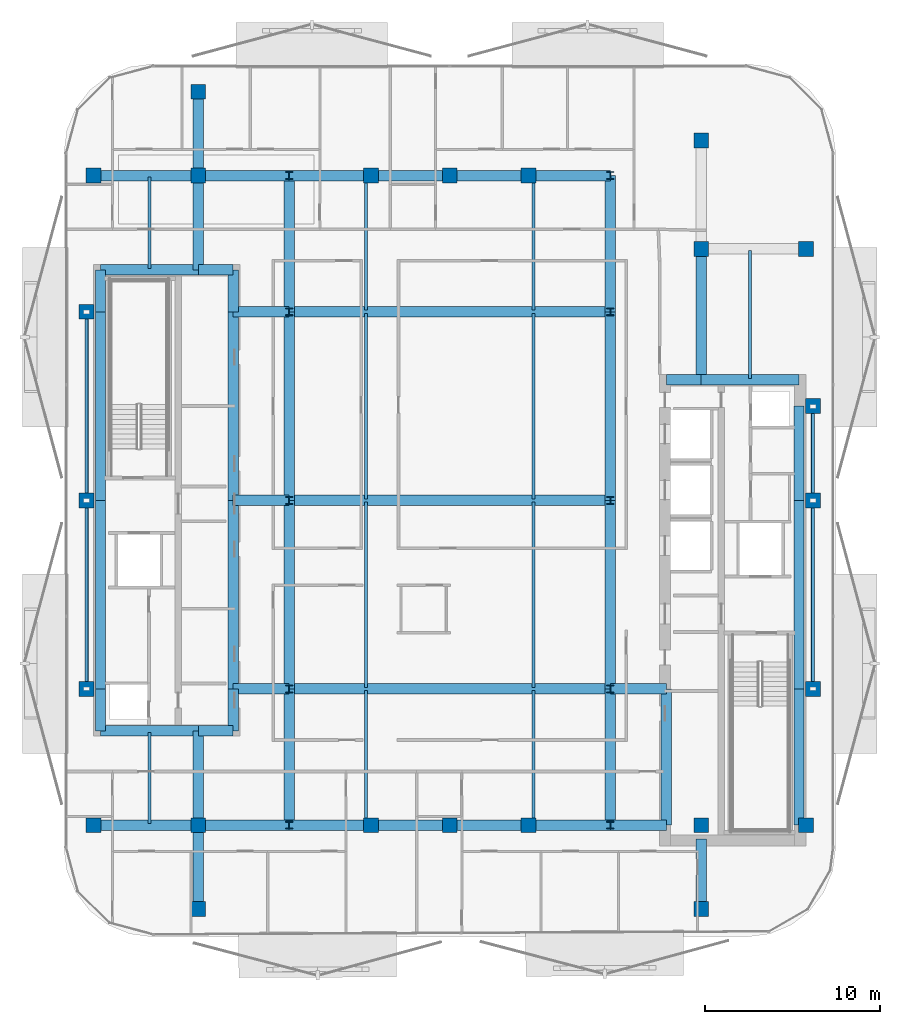
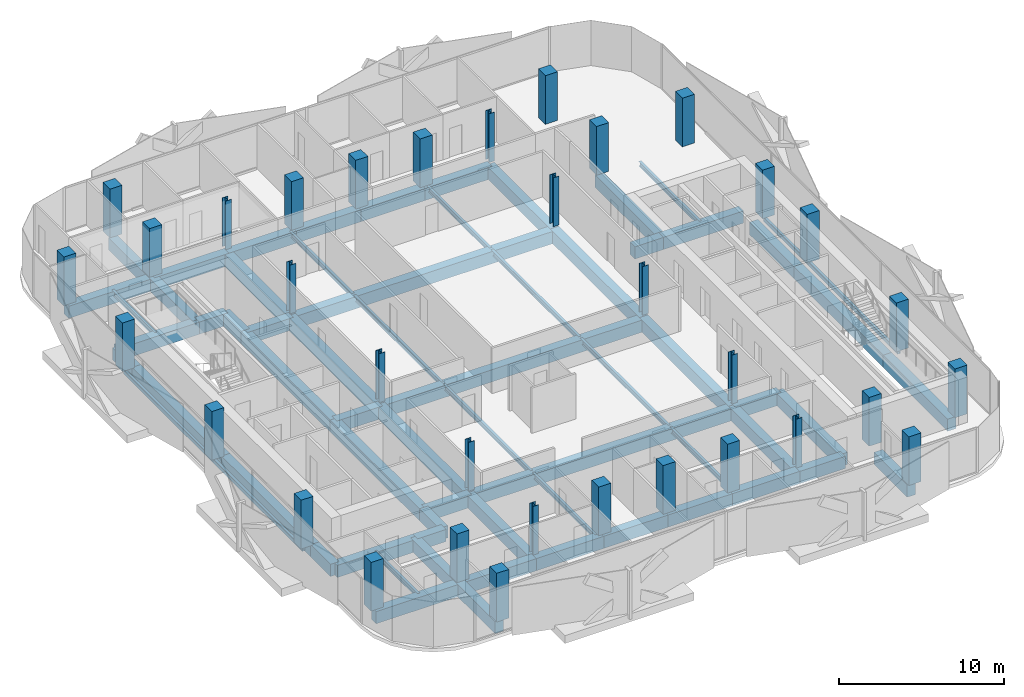
# One storey, part 1 of 15: 67 beams, 34 columns.
"""IFC4 building model written with IfcOpenShell, lengths in metres."""

from ifc_helpers import new_model, si_unit, direction, frame, origin, origin_2d, place, context, subcontext, project, spatial, rectangle, hollow_rectangle, i_section, extrude, material, material_profile, profile_set, type_object, element, save


model = new_model("IFC4")

# Units and contexts
model_context = context("Model", 3, precision=1e-05, world=origin(), true_north=direction((0.0, 1.0)))
body_context = subcontext(model_context, "Body", "Model", "MODEL_VIEW")
ifc_project = project(units=[si_unit("LENGTHUNIT", "METRE"), si_unit("AREAUNIT", "SQUARE_METRE"), si_unit("VOLUMEUNIT", "CUBIC_METRE"), si_unit("PLANEANGLEUNIT", "RADIAN"), si_unit("MASSUNIT", "GRAM", prefix="KILO")], contexts=[model_context])

# Site, building, storey
site_placement = place(None, origin())
site = spatial("IfcSite", under=ifc_project, at=site_placement, CompositionType="ELEMENT")
building_placement = place(site_placement, origin())
building = spatial("IfcBuilding", under=site, at=building_placement, Name="Khairoan Windgate Tower", CompositionType="ELEMENT")
storey_placement = place(building_placement, frame((0.0, 0.0, 226.0)))
storey = spatial("IfcBuildingStorey", under=building, at=storey_placement, Name="L52", CompositionType="ELEMENT", Elevation=226.0)

# Columns
ifc_material_1 = material(Name="Concrete C50/60", Category="concrete")
ifc_material_profile_1 = material_profile(ifc_material_1, rectangle(XDim=0.85009765625, YDim=0.85009765625, at=origin_2d()))
ifc_profile_set_1 = profile_set([ifc_material_profile_1], Name="Concrete C50/60")
column_type_1 = type_object("IfcColumnType", Name="Column C-T5 RC850x850", PredefinedType="COLUMN", material=ifc_profile_set_1)
for number, where, z_axis, x_axis, name in (
    (1, (-20.39990234375, -18.60009765625, 0.0), (0.0, 0.0, 1.0), (1.0, 0.0, 0.0), "Column L52-11"),
    (2, (-20.39990234375, 18.60009765625, 0.0), (0.0, 0.0, 1.0), (1.0, 0.0, 0.0), "Column L52-12"),
    (3, (20.39990234375, -18.60009765625, 0.0), (0.0, 0.0, 1.0), (1.0, 0.0, 0.0), "Column L52-13"),
    (4, (20.39990234375, 14.39990234375, 0.0), (0.0, 0.0, 1.0), (1.0, 0.0, 0.0), "Column L52-14"),
    (5, (-14.39990234375, -18.60009765625, 0.0), (0.0, 0.0, 1.0), (1.0, 0.0, 0.0), "Column L52-15"),
    (6, (-14.39990234375, 18.60009765625, 0.0), (0.0, 0.0, 1.0), (1.0, 0.0, 0.0), "Column L52-16"),
    (7, (14.39990234375, -18.60009765625, 0.0), (0.0, 0.0, 1.0), (1.0, 0.0, 0.0), "Column L52-17"),
    (8, (14.39990234375, 14.39990234375, 0.0), (0.0, 0.0, 1.0), (1.0, 0.0, 0.0), "Column L52-18"),
    (9, (-4.5, -18.60009765625, 0.0), (0.0, 0.0, 1.0), (1.0, 0.0, 0.0), "Column L52-19"),
    (10, (0.0, -18.60009765625, 0.0), (0.0, 0.0, 1.0), (1.0, 0.0, 0.0), "Column L52-20"),
    (11, (4.5, -18.60009765625, 0.0), (0.0, 0.0, 1.0), (1.0, 0.0, 0.0), "Column L52-21"),
    (12, (-4.5, 18.60009765625, 0.0), (0.0, 0.0, 1.0), (1.0, 0.0, 0.0), "Column L52-22"),
    (13, (0.0, 18.60009765625, 0.0), (0.0, 0.0, 1.0), (1.0, 0.0, 0.0), "Column L52-23"),
    (14, (4.5, 18.60009765625, 0.0), (0.0, 0.0, 1.0), (1.0, 0.0, 0.0), "Column L52-24"),
    (15, (-20.800048828125, -10.800048828125, 0.0), (0.0, 0.0, 1.0), (1.0, 0.0, 0.0), "Column L52-25"),
    (16, (-20.800048828125, 0.0, 0.0), (0.0, 0.0, 1.0), (1.0, 0.0, 0.0), "Column L52-26"),
    (17, (-20.800048828125, 10.800048828125, 0.0), (0.0, 0.0, 1.0), (1.0, 0.0, 0.0), "Column L52-27"),
    (18, (20.800048828125, -10.800048828125, 0.0), (0.0, 0.0, 1.0), (1.0, 0.0, 0.0), "Column L52-28"),
    (19, (20.800048828125, 0.0, 0.0), (0.0, 0.0, 1.0), (1.0, 0.0, 0.0), "Column L52-29"),
    (20, (20.800048828125, 5.39990234375, 0.0), (0.0, 0.0, 1.0), (1.0, 0.0, 0.0), "Column L52-30"),
    (21, (-14.39990234375, -23.39990234375, 0.0), (0.0, 0.0, 1.0), (1.0, 0.0, 0.0), "Column L52-31"),
    (22, (-14.39990234375, 23.39990234375, 0.0), (0.0, 0.0, 1.0), (1.0, 0.0, 0.0), "Column L52-32"),
    (23, (14.39990234375, -23.39990234375, 0.0), (0.0, 0.0, 1.0), (1.0, 0.0, 0.0), "Column L52-33"),
    (24, (14.39990234375, 20.60009765625, 0.0), (0.0, 0.0, 1.0), (1.0, 0.0, 0.0), "Column L52-34"),
):
    element("IfcColumn", number, at=place(storey_placement, frame(where, z_axis=z_axis, x_axis=x_axis)), inside=storey, type_object=column_type_1, Name=name, PredefinedType="COLUMN", context=body_context, shape_type="SweptSolid", body=[
        extrude(rectangle(XDim=0.85009765625, YDim=0.85009765625, at=origin_2d()), origin(), (0.0, 0.0, 1.0), 3.60009765625),
    ])
ifc_material_2 = material(Name="Steel S355", Category="steel")
ifc_material_profile_2 = material_profile(ifc_material_2, i_section(OverallWidth=0.406982421875, OverallDepth=0.427978515625, WebThickness=0.02001953125, FlangeThickness=0.034912109375, FilletRadius=0.02197265625, at=origin_2d()))
ifc_profile_set_2 = profile_set([ifc_material_profile_2], Name="Steel S355")
column_type_2 = type_object("IfcColumnType", Name="Steel Column SC3 H428x407x20x35", PredefinedType="COLUMN", material=ifc_profile_set_2)
for number, where, z_axis, x_axis, name in (
    (25, (-9.199951171875, -18.60009765625, 0.0), (0.0, 0.0, 1.0), (1.0, 0.0, 0.0), "Column L52-01"),
    (26, (-9.199951171875, -10.800048828125, 0.0), (0.0, 0.0, 1.0), (1.0, 0.0, 0.0), "Column L52-02"),
    (27, (-9.199951171875, 0.0, 0.0), (0.0, 0.0, 1.0), (1.0, 0.0, 0.0), "Column L52-03"),
    (28, (-9.199951171875, 10.800048828125, 0.0), (0.0, 0.0, 1.0), (1.0, 0.0, 0.0), "Column L52-04"),
    (29, (-9.199951171875, 18.60009765625, 0.0), (0.0, 0.0, 1.0), (1.0, 0.0, 0.0), "Column L52-05"),
    (30, (9.199951171875, -18.60009765625, 0.0), (0.0, 0.0, 1.0), (1.0, 0.0, 0.0), "Column L52-06"),
    (31, (9.199951171875, -10.800048828125, 0.0), (0.0, 0.0, 1.0), (1.0, 0.0, 0.0), "Column L52-07"),
    (32, (9.199951171875, 0.0, 0.0), (0.0, 0.0, 1.0), (1.0, 0.0, 0.0), "Column L52-08"),
    (33, (9.199951171875, 10.800048828125, 0.0), (0.0, 0.0, 1.0), (1.0, 0.0, 0.0), "Column L52-09"),
    (34, (9.199951171875, 18.60009765625, 0.0), (0.0, 0.0, 1.0), (1.0, 0.0, 0.0), "Column L52-10"),
):
    element("IfcColumn", number, at=place(storey_placement, frame(where, z_axis=z_axis, x_axis=x_axis)), inside=storey, type_object=column_type_2, Name=name, PredefinedType="COLUMN", context=body_context, shape_type="SweptSolid", body=[
        extrude(i_section(OverallWidth=0.406982421875, OverallDepth=0.427978515625, WebThickness=0.02001953125, FlangeThickness=0.034912109375, FilletRadius=0.02197265625, at=origin_2d()), origin(), (0.0, 0.0, 1.0), 3.60009765625),
    ])

# Beams
ifc_material_3 = material(Name="Concrete C50/60", Category="concrete")
ifc_material_profile_3 = material_profile(ifc_material_3, rectangle(XDim=0.60009765625, YDim=0.89990234375, at=origin_2d()))
ifc_profile_set_3 = profile_set([ifc_material_profile_3], Name="Concrete C50/60")
beam_type_1 = type_object("IfcBeamType", Name="Beam B-RC1 RC600x900", PredefinedType="BEAM", material=ifc_profile_set_3)
beam_1_placement = place(storey_placement, frame((-20.39990234375, -18.60009765625, -0.7099609375), z_axis=(1.0, 0.0, 0.0), x_axis=(0.0, 1.0, 0.0)))
element("IfcBeam", 35, at=beam_1_placement, inside=storey, type_object=beam_type_1, Name="L52 E-W Primary Girder 01", PredefinedType="BEAM", context=body_context, shape_type="SweptSolid", body=[
    extrude(rectangle(XDim=0.60009765625, YDim=0.89990234375, at=origin_2d()), origin(), (0.0, 0.0, 1.0), 6.0),
])
beam_2_placement = place(storey_placement, frame((-14.39990234375, -18.60009765625, -0.7099609375), z_axis=(1.0, 0.0, 0.0), x_axis=(0.0, 1.0, 0.0)))
element("IfcBeam", 36, at=beam_2_placement, inside=storey, type_object=beam_type_1, Name="L52 E-W Primary Girder 02", PredefinedType="BEAM", context=body_context, shape_type="SweptSolid", body=[
    extrude(rectangle(XDim=0.60009765625, YDim=0.89990234375, at=origin_2d()), origin(), (0.0, 0.0, 1.0), 5.199951171875),
])
beam_3_placement = place(storey_placement, frame((-9.199951171875, -18.60009765625, -0.7099609375), z_axis=(1.0, 0.0, 0.0), x_axis=(0.0, 1.0, 0.0)))
element("IfcBeam", 37, at=beam_3_placement, inside=storey, type_object=beam_type_1, Name="L52 E-W Primary Girder 03", PredefinedType="BEAM", context=body_context, shape_type="SweptSolid", body=[
    extrude(rectangle(XDim=0.60009765625, YDim=0.89990234375, at=origin_2d()), origin(), (0.0, 0.0, 1.0), 4.699951171875),
])
for number, where, z_axis, x_axis, name in (
    (38, (-4.5, -18.60009765625, -0.7099609375), (1.0, 0.0, 0.0), (0.0, 1.0, 0.0), "L52 E-W Primary Girder 04"),
    (39, (0.0, -18.60009765625, -0.7099609375), (1.0, 0.0, 0.0), (0.0, 1.0, 0.0), "L52 E-W Primary Girder 05"),
):
    element("IfcBeam", number, at=place(storey_placement, frame(where, z_axis=z_axis, x_axis=x_axis)), inside=storey, type_object=beam_type_1, Name=name, PredefinedType="BEAM", context=body_context, shape_type="SweptSolid", body=[
        extrude(rectangle(XDim=0.60009765625, YDim=0.89990234375, at=origin_2d()), origin(), (0.0, 0.0, 1.0), 4.5),
    ])
beam_4_placement = place(storey_placement, frame((4.5, -18.60009765625, -0.7099609375), z_axis=(1.0, 0.0, 0.0), x_axis=(0.0, 1.0, 0.0)))
element("IfcBeam", 40, at=beam_4_placement, inside=storey, type_object=beam_type_1, Name="L52 E-W Primary Girder 06", PredefinedType="BEAM", context=body_context, shape_type="SweptSolid", body=[
    extrude(rectangle(XDim=0.60009765625, YDim=0.89990234375, at=origin_2d()), origin(), (0.0, 0.0, 1.0), 4.699951171875),
])
beam_5_placement = place(storey_placement, frame((9.199951171875, -18.60009765625, -0.7099609375), z_axis=(1.0, 0.0, 0.0), x_axis=(0.0, 1.0, 0.0)))
element("IfcBeam", 41, at=beam_5_placement, inside=storey, type_object=beam_type_1, Name="L52 E-W Primary Girder 07", PredefinedType="BEAM", context=body_context, shape_type="SweptSolid", body=[
    extrude(rectangle(XDim=0.60009765625, YDim=0.89990234375, at=origin_2d()), origin(), (0.0, 0.0, 1.0), 3.199951171875),
])
beam_6_placement = place(storey_placement, frame((-20.0, -13.199951171875, -0.7099609375), z_axis=(1.0, 0.0, 0.0), x_axis=(0.0, 1.0, 0.0)))
element("IfcBeam", 42, at=beam_6_placement, inside=storey, type_object=beam_type_1, Name="L52 E-W Primary Girder 08", PredefinedType="BEAM", context=body_context, shape_type="SweptSolid", body=[
    extrude(rectangle(XDim=0.60009765625, YDim=0.89990234375, at=origin_2d()), origin(), (0.0, 0.0, 1.0), 5.60009765625),
])
beam_7_placement = place(storey_placement, frame((-14.39990234375, -13.199951171875, -0.7099609375), z_axis=(1.0, 0.0, 0.0), x_axis=(0.0, 1.0, 0.0)))
element("IfcBeam", 43, at=beam_7_placement, inside=storey, type_object=beam_type_1, Name="L52 E-W Primary Girder 09", PredefinedType="BEAM", context=body_context, shape_type="SweptSolid", body=[
    extrude(rectangle(XDim=0.60009765625, YDim=0.89990234375, at=origin_2d()), origin(), (0.0, 0.0, 1.0), 2.0),
])
beam_8_placement = place(storey_placement, frame((-12.39990234375, -10.800048828125, -0.7099609375), z_axis=(1.0, 0.0, 0.0), x_axis=(0.0, 1.0, 0.0)))
element("IfcBeam", 44, at=beam_8_placement, inside=storey, type_object=beam_type_1, Name="L52 E-W Primary Girder 10", PredefinedType="BEAM", context=body_context, shape_type="SweptSolid", body=[
    extrude(rectangle(XDim=0.60009765625, YDim=0.89990234375, at=origin_2d()), origin(), (0.0, 0.0, 1.0), 3.199951171875),
])
beam_9_placement = place(storey_placement, frame((-9.199951171875, -10.800048828125, -0.7099609375), z_axis=(1.0, 0.0, 0.0), x_axis=(0.0, 1.0, 0.0)))
element("IfcBeam", 45, at=beam_9_placement, inside=storey, type_object=beam_type_1, Name="L52 E-W Primary Girder 11", PredefinedType="BEAM", context=body_context, shape_type="SweptSolid", body=[
    extrude(rectangle(XDim=0.60009765625, YDim=0.89990234375, at=origin_2d()), origin(), (0.0, 0.0, 1.0), 18.39990234375),
])
for number, where, z_axis, x_axis, name in (
    (46, (9.199951171875, -10.800048828125, -0.7099609375), (1.0, 0.0, 0.0), (0.0, 1.0, 0.0), "L52 E-W Primary Girder 12"),
    (47, (-12.39990234375, 0.0, -0.7099609375), (1.0, 0.0, 0.0), (0.0, 1.0, 0.0), "L52 E-W Primary Girder 13"),
):
    element("IfcBeam", number, at=place(storey_placement, frame(where, z_axis=z_axis, x_axis=x_axis)), inside=storey, type_object=beam_type_1, Name=name, PredefinedType="BEAM", context=body_context, shape_type="SweptSolid", body=[
        extrude(rectangle(XDim=0.60009765625, YDim=0.89990234375, at=origin_2d()), origin(), (0.0, 0.0, 1.0), 3.199951171875),
    ])
beam_10_placement = place(storey_placement, frame((-9.199951171875, 0.0, -0.7099609375), z_axis=(1.0, 0.0, 0.0), x_axis=(0.0, 1.0, 0.0)))
element("IfcBeam", 48, at=beam_10_placement, inside=storey, type_object=beam_type_1, Name="L52 E-W Primary Girder 14", PredefinedType="BEAM", context=body_context, shape_type="SweptSolid", body=[
    extrude(rectangle(XDim=0.60009765625, YDim=0.89990234375, at=origin_2d()), origin(), (0.0, 0.0, 1.0), 18.39990234375),
])
beam_11_placement = place(storey_placement, frame((12.39990234375, 6.89990234375, -0.7099609375), z_axis=(1.0, 0.0, 0.0), x_axis=(0.0, 1.0, 0.0)))
element("IfcBeam", 49, at=beam_11_placement, inside=storey, type_object=beam_type_1, Name="L52 E-W Primary Girder 15", PredefinedType="BEAM", context=body_context, shape_type="SweptSolid", body=[
    extrude(rectangle(XDim=0.60009765625, YDim=0.89990234375, at=origin_2d()), origin(), (0.0, 0.0, 1.0), 2.0),
])
beam_12_placement = place(storey_placement, frame((14.39990234375, 6.89990234375, -0.7099609375), z_axis=(1.0, 0.0, 0.0), x_axis=(0.0, 1.0, 0.0)))
element("IfcBeam", 50, at=beam_12_placement, inside=storey, type_object=beam_type_1, Name="L52 E-W Primary Girder 16", PredefinedType="BEAM", context=body_context, shape_type="SweptSolid", body=[
    extrude(rectangle(XDim=0.60009765625, YDim=0.89990234375, at=origin_2d()), origin(), (0.0, 0.0, 1.0), 5.60009765625),
])
beam_13_placement = place(storey_placement, frame((-12.39990234375, 10.800048828125, -0.7099609375), z_axis=(1.0, 0.0, 0.0), x_axis=(0.0, 1.0, 0.0)))
element("IfcBeam", 51, at=beam_13_placement, inside=storey, type_object=beam_type_1, Name="L52 E-W Primary Girder 17", PredefinedType="BEAM", context=body_context, shape_type="SweptSolid", body=[
    extrude(rectangle(XDim=0.60009765625, YDim=0.89990234375, at=origin_2d()), origin(), (0.0, 0.0, 1.0), 3.199951171875),
])
beam_14_placement = place(storey_placement, frame((-9.199951171875, 10.800048828125, -0.7099609375), z_axis=(1.0, 0.0, 0.0), x_axis=(0.0, 1.0, 0.0)))
element("IfcBeam", 52, at=beam_14_placement, inside=storey, type_object=beam_type_1, Name="L52 E-W Primary Girder 18", PredefinedType="BEAM", context=body_context, shape_type="SweptSolid", body=[
    extrude(rectangle(XDim=0.60009765625, YDim=0.89990234375, at=origin_2d()), origin(), (0.0, 0.0, 1.0), 18.39990234375),
])
beam_15_placement = place(storey_placement, frame((-20.0, 13.199951171875, -0.7099609375), z_axis=(1.0, 0.0, 0.0), x_axis=(0.0, 1.0, 0.0)))
element("IfcBeam", 53, at=beam_15_placement, inside=storey, type_object=beam_type_1, Name="L52 E-W Primary Girder 19", PredefinedType="BEAM", context=body_context, shape_type="SweptSolid", body=[
    extrude(rectangle(XDim=0.60009765625, YDim=0.89990234375, at=origin_2d()), origin(), (0.0, 0.0, 1.0), 5.60009765625),
])
beam_16_placement = place(storey_placement, frame((-14.39990234375, 13.199951171875, -0.7099609375), z_axis=(1.0, 0.0, 0.0), x_axis=(0.0, 1.0, 0.0)))
element("IfcBeam", 54, at=beam_16_placement, inside=storey, type_object=beam_type_1, Name="L52 E-W Primary Girder 20", PredefinedType="BEAM", context=body_context, shape_type="SweptSolid", body=[
    extrude(rectangle(XDim=0.60009765625, YDim=0.89990234375, at=origin_2d()), origin(), (0.0, 0.0, 1.0), 2.0),
])
beam_17_placement = place(storey_placement, frame((-20.39990234375, 18.60009765625, -0.7099609375), z_axis=(1.0, 0.0, 0.0), x_axis=(0.0, 1.0, 0.0)))
element("IfcBeam", 55, at=beam_17_placement, inside=storey, type_object=beam_type_1, Name="L52 E-W Primary Girder 22", PredefinedType="BEAM", context=body_context, shape_type="SweptSolid", body=[
    extrude(rectangle(XDim=0.60009765625, YDim=0.89990234375, at=origin_2d()), origin(), (0.0, 0.0, 1.0), 6.0),
])
beam_18_placement = place(storey_placement, frame((-14.39990234375, 18.60009765625, -0.7099609375), z_axis=(1.0, 0.0, 0.0), x_axis=(0.0, 1.0, 0.0)))
element("IfcBeam", 56, at=beam_18_placement, inside=storey, type_object=beam_type_1, Name="L52 E-W Primary Girder 23", PredefinedType="BEAM", context=body_context, shape_type="SweptSolid", body=[
    extrude(rectangle(XDim=0.60009765625, YDim=0.89990234375, at=origin_2d()), origin(), (0.0, 0.0, 1.0), 5.199951171875),
])
beam_19_placement = place(storey_placement, frame((-9.199951171875, 18.60009765625, -0.7099609375), z_axis=(1.0, 0.0, 0.0), x_axis=(0.0, 1.0, 0.0)))
element("IfcBeam", 57, at=beam_19_placement, inside=storey, type_object=beam_type_1, Name="L52 E-W Primary Girder 24", PredefinedType="BEAM", context=body_context, shape_type="SweptSolid", body=[
    extrude(rectangle(XDim=0.60009765625, YDim=0.89990234375, at=origin_2d()), origin(), (0.0, 0.0, 1.0), 4.699951171875),
])
for number, where, z_axis, x_axis, name in (
    (58, (-4.5, 18.60009765625, -0.7099609375), (1.0, 0.0, 0.0), (0.0, 1.0, 0.0), "L52 E-W Primary Girder 25"),
    (59, (0.0, 18.60009765625, -0.7099609375), (1.0, 0.0, 0.0), (0.0, 1.0, 0.0), "L52 E-W Primary Girder 26"),
):
    element("IfcBeam", number, at=place(storey_placement, frame(where, z_axis=z_axis, x_axis=x_axis)), inside=storey, type_object=beam_type_1, Name=name, PredefinedType="BEAM", context=body_context, shape_type="SweptSolid", body=[
        extrude(rectangle(XDim=0.60009765625, YDim=0.89990234375, at=origin_2d()), origin(), (0.0, 0.0, 1.0), 4.5),
    ])
beam_20_placement = place(storey_placement, frame((4.5, 18.60009765625, -0.7099609375), z_axis=(1.0, 0.0, 0.0), x_axis=(0.0, 1.0, 0.0)))
element("IfcBeam", 60, at=beam_20_placement, inside=storey, type_object=beam_type_1, Name="L52 E-W Primary Girder 27", PredefinedType="BEAM", context=body_context, shape_type="SweptSolid", body=[
    extrude(rectangle(XDim=0.60009765625, YDim=0.89990234375, at=origin_2d()), origin(), (0.0, 0.0, 1.0), 4.699951171875),
])
beam_21_placement = place(storey_placement, frame((-20.0, -13.199951171875, -0.7099609375), z_axis=(0.0, 1.0, 0.0), x_axis=(-1.0, 0.0, 0.0)))
element("IfcBeam", 61, at=beam_21_placement, inside=storey, type_object=beam_type_1, Name="L52 N-S Primary Beam 30", PredefinedType="BEAM", context=body_context, shape_type="SweptSolid", body=[
    extrude(rectangle(XDim=0.60009765625, YDim=0.89990234375, at=origin_2d()), origin(), (0.0, 0.0, 1.0), 2.39990234375),
])
for number, where, z_axis, x_axis, name in (
    (62, (-20.0, -10.800048828125, -0.7099609375), (0.0, 1.0, 0.0), (-1.0, 0.0, 0.0), "L52 N-S Primary Beam 31"),
    (63, (-20.0, 0.0, -0.7099609375), (0.0, 1.0, 0.0), (-1.0, 0.0, 0.0), "L52 N-S Primary Beam 32"),
):
    element("IfcBeam", number, at=place(storey_placement, frame(where, z_axis=z_axis, x_axis=x_axis)), inside=storey, type_object=beam_type_1, Name=name, PredefinedType="BEAM", context=body_context, shape_type="SweptSolid", body=[
        extrude(rectangle(XDim=0.60009765625, YDim=0.89990234375, at=origin_2d()), origin(), (0.0, 0.0, 1.0), 10.800048828125),
    ])
beam_22_placement = place(storey_placement, frame((-20.0, 10.800048828125, -0.7099609375), z_axis=(0.0, 1.0, 0.0), x_axis=(-1.0, 0.0, 0.0)))
element("IfcBeam", 64, at=beam_22_placement, inside=storey, type_object=beam_type_1, Name="L52 N-S Primary Beam 33", PredefinedType="BEAM", context=body_context, shape_type="SweptSolid", body=[
    extrude(rectangle(XDim=0.60009765625, YDim=0.89990234375, at=origin_2d()), origin(), (0.0, 0.0, 1.0), 2.39990234375),
])
beam_23_placement = place(storey_placement, frame((-14.39990234375, -23.39990234375, -0.7099609375), z_axis=(0.0, 1.0, 0.0), x_axis=(-1.0, 0.0, 0.0)))
element("IfcBeam", 65, at=beam_23_placement, inside=storey, type_object=beam_type_1, Name="L52 N-S Primary Beam 34", PredefinedType="BEAM", context=body_context, shape_type="SweptSolid", body=[
    extrude(rectangle(XDim=0.60009765625, YDim=0.89990234375, at=origin_2d()), origin(), (0.0, 0.0, 1.0), 4.7998046875),
])
for number, where, z_axis, x_axis, name in (
    (66, (-14.39990234375, -18.60009765625, -0.7099609375), (0.0, 1.0, 0.0), (-1.0, 0.0, 0.0), "L52 N-S Primary Beam 35"),
    (67, (-14.39990234375, 13.199951171875, -0.7099609375), (0.0, 1.0, 0.0), (-1.0, 0.0, 0.0), "L52 N-S Primary Beam 36"),
):
    element("IfcBeam", number, at=place(storey_placement, frame(where, z_axis=z_axis, x_axis=x_axis)), inside=storey, type_object=beam_type_1, Name=name, PredefinedType="BEAM", context=body_context, shape_type="SweptSolid", body=[
        extrude(rectangle(XDim=0.60009765625, YDim=0.89990234375, at=origin_2d()), origin(), (0.0, 0.0, 1.0), 5.400146484375),
    ])
beam_24_placement = place(storey_placement, frame((-14.39990234375, 18.60009765625, -0.7099609375), z_axis=(0.0, 1.0, 0.0), x_axis=(-1.0, 0.0, 0.0)))
element("IfcBeam", 68, at=beam_24_placement, inside=storey, type_object=beam_type_1, Name="L52 N-S Primary Beam 37", PredefinedType="BEAM", context=body_context, shape_type="SweptSolid", body=[
    extrude(rectangle(XDim=0.60009765625, YDim=0.89990234375, at=origin_2d()), origin(), (0.0, 0.0, 1.0), 4.7998046875),
])
beam_25_placement = place(storey_placement, frame((-12.39990234375, -13.199951171875, -0.7099609375), z_axis=(0.0, 1.0, 0.0), x_axis=(-1.0, 0.0, 0.0)))
element("IfcBeam", 69, at=beam_25_placement, inside=storey, type_object=beam_type_1, Name="L52 N-S Primary Beam 38", PredefinedType="BEAM", context=body_context, shape_type="SweptSolid", body=[
    extrude(rectangle(XDim=0.60009765625, YDim=0.89990234375, at=origin_2d()), origin(), (0.0, 0.0, 1.0), 2.39990234375),
])
for number, where, z_axis, x_axis, name in (
    (70, (-12.39990234375, -10.800048828125, -0.7099609375), (0.0, 1.0, 0.0), (-1.0, 0.0, 0.0), "L52 N-S Primary Beam 39"),
    (71, (-12.39990234375, 0.0, -0.7099609375), (0.0, 1.0, 0.0), (-1.0, 0.0, 0.0), "L52 N-S Primary Beam 40"),
):
    element("IfcBeam", number, at=place(storey_placement, frame(where, z_axis=z_axis, x_axis=x_axis)), inside=storey, type_object=beam_type_1, Name=name, PredefinedType="BEAM", context=body_context, shape_type="SweptSolid", body=[
        extrude(rectangle(XDim=0.60009765625, YDim=0.89990234375, at=origin_2d()), origin(), (0.0, 0.0, 1.0), 10.800048828125),
    ])
beam_26_placement = place(storey_placement, frame((-12.39990234375, 10.800048828125, -0.7099609375), z_axis=(0.0, 1.0, 0.0), x_axis=(-1.0, 0.0, 0.0)))
element("IfcBeam", 72, at=beam_26_placement, inside=storey, type_object=beam_type_1, Name="L52 N-S Primary Beam 41", PredefinedType="BEAM", context=body_context, shape_type="SweptSolid", body=[
    extrude(rectangle(XDim=0.60009765625, YDim=0.89990234375, at=origin_2d()), origin(), (0.0, 0.0, 1.0), 2.39990234375),
])
beam_27_placement = place(storey_placement, frame((-9.199951171875, -18.60009765625, -0.7099609375), z_axis=(0.0, 1.0, 0.0), x_axis=(-1.0, 0.0, 0.0)))
element("IfcBeam", 73, at=beam_27_placement, inside=storey, type_object=beam_type_1, Name="L52 N-S Primary Beam 42", PredefinedType="BEAM", context=body_context, shape_type="SweptSolid", body=[
    extrude(rectangle(XDim=0.60009765625, YDim=0.89990234375, at=origin_2d()), origin(), (0.0, 0.0, 1.0), 7.800048828125),
])
for number, where, z_axis, x_axis, name in (
    (74, (-9.199951171875, -10.800048828125, -0.7099609375), (0.0, 1.0, 0.0), (-1.0, 0.0, 0.0), "L52 N-S Primary Beam 43"),
    (75, (-9.199951171875, 0.0, -0.7099609375), (0.0, 1.0, 0.0), (-1.0, 0.0, 0.0), "L52 N-S Primary Beam 44"),
):
    element("IfcBeam", number, at=place(storey_placement, frame(where, z_axis=z_axis, x_axis=x_axis)), inside=storey, type_object=beam_type_1, Name=name, PredefinedType="BEAM", context=body_context, shape_type="SweptSolid", body=[
        extrude(rectangle(XDim=0.60009765625, YDim=0.89990234375, at=origin_2d()), origin(), (0.0, 0.0, 1.0), 10.800048828125),
    ])
for number, where, z_axis, x_axis, name in (
    (76, (-9.199951171875, 10.800048828125, -0.7099609375), (0.0, 1.0, 0.0), (-1.0, 0.0, 0.0), "L52 N-S Primary Beam 45"),
    (77, (9.199951171875, -18.60009765625, -0.7099609375), (0.0, 1.0, 0.0), (-1.0, 0.0, 0.0), "L52 N-S Primary Beam 46"),
):
    element("IfcBeam", number, at=place(storey_placement, frame(where, z_axis=z_axis, x_axis=x_axis)), inside=storey, type_object=beam_type_1, Name=name, PredefinedType="BEAM", context=body_context, shape_type="SweptSolid", body=[
        extrude(rectangle(XDim=0.60009765625, YDim=0.89990234375, at=origin_2d()), origin(), (0.0, 0.0, 1.0), 7.800048828125),
    ])
for number, where, z_axis, x_axis, name in (
    (78, (9.199951171875, -10.800048828125, -0.7099609375), (0.0, 1.0, 0.0), (-1.0, 0.0, 0.0), "L52 N-S Primary Beam 47"),
    (79, (9.199951171875, 0.0, -0.7099609375), (0.0, 1.0, 0.0), (-1.0, 0.0, 0.0), "L52 N-S Primary Beam 48"),
):
    element("IfcBeam", number, at=place(storey_placement, frame(where, z_axis=z_axis, x_axis=x_axis)), inside=storey, type_object=beam_type_1, Name=name, PredefinedType="BEAM", context=body_context, shape_type="SweptSolid", body=[
        extrude(rectangle(XDim=0.60009765625, YDim=0.89990234375, at=origin_2d()), origin(), (0.0, 0.0, 1.0), 10.800048828125),
    ])
for number, where, z_axis, x_axis, name in (
    (80, (9.199951171875, 10.800048828125, -0.7099609375), (0.0, 1.0, 0.0), (-1.0, 0.0, 0.0), "L52 N-S Primary Beam 49"),
    (81, (12.39990234375, -18.60009765625, -0.7099609375), (0.0, 1.0, 0.0), (-1.0, 0.0, 0.0), "L52 N-S Primary Beam 50"),
):
    element("IfcBeam", number, at=place(storey_placement, frame(where, z_axis=z_axis, x_axis=x_axis)), inside=storey, type_object=beam_type_1, Name=name, PredefinedType="BEAM", context=body_context, shape_type="SweptSolid", body=[
        extrude(rectangle(XDim=0.60009765625, YDim=0.89990234375, at=origin_2d()), origin(), (0.0, 0.0, 1.0), 7.800048828125),
    ])
beam_28_placement = place(storey_placement, frame((14.39990234375, -23.39990234375, -0.7099609375), z_axis=(0.0, 1.0, 0.0), x_axis=(-1.0, 0.0, 0.0)))
element("IfcBeam", 82, at=beam_28_placement, inside=storey, type_object=beam_type_1, Name="L52 N-S Primary Beam 51", PredefinedType="BEAM", context=body_context, shape_type="SweptSolid", body=[
    extrude(rectangle(XDim=0.60009765625, YDim=0.89990234375, at=origin_2d()), origin(), (0.0, 0.0, 1.0), 4.0),
])
beam_29_placement = place(storey_placement, frame((14.39990234375, 6.89990234375, -0.7099609375), z_axis=(0.0, 1.0, 0.0), x_axis=(-1.0, 0.0, 0.0)))
element("IfcBeam", 83, at=beam_29_placement, inside=storey, type_object=beam_type_1, Name="L52 N-S Primary Beam 52", PredefinedType="BEAM", context=body_context, shape_type="SweptSolid", body=[
    extrude(rectangle(XDim=0.60009765625, YDim=0.89990234375, at=origin_2d()), origin(), (0.0, 0.0, 1.0), 7.5),
])
beam_30_placement = place(storey_placement, frame((20.0, -18.60009765625, -0.7099609375), z_axis=(0.0, 1.0, 0.0), x_axis=(-1.0, 0.0, 0.0)))
element("IfcBeam", 84, at=beam_30_placement, inside=storey, type_object=beam_type_1, Name="L52 N-S Primary Beam 54", PredefinedType="BEAM", context=body_context, shape_type="SweptSolid", body=[
    extrude(rectangle(XDim=0.60009765625, YDim=0.89990234375, at=origin_2d()), origin(), (0.0, 0.0, 1.0), 7.800048828125),
])
beam_31_placement = place(storey_placement, frame((20.0, -10.800048828125, -0.7099609375), z_axis=(0.0, 1.0, 0.0), x_axis=(-1.0, 0.0, 0.0)))
element("IfcBeam", 85, at=beam_31_placement, inside=storey, type_object=beam_type_1, Name="L52 N-S Primary Beam 55", PredefinedType="BEAM", context=body_context, shape_type="SweptSolid", body=[
    extrude(rectangle(XDim=0.60009765625, YDim=0.89990234375, at=origin_2d()), origin(), (0.0, 0.0, 1.0), 10.800048828125),
])
beam_32_placement = place(storey_placement, frame((20.0, 0.0, -0.7099609375), z_axis=(0.0, 1.0, 0.0), x_axis=(-1.0, 0.0, 0.0)))
element("IfcBeam", 86, at=beam_32_placement, inside=storey, type_object=beam_type_1, Name="L52 N-S Primary Beam 56", PredefinedType="BEAM", context=body_context, shape_type="SweptSolid", body=[
    extrude(rectangle(XDim=0.60009765625, YDim=0.89990234375, at=origin_2d()), origin(), (0.0, 0.0, 1.0), 5.39990234375),
])
ifc_material_4 = material(Name="Steel S355", Category="steel")
ifc_material_profile_4 = material_profile(ifc_material_4, i_section(OverallWidth=0.175048828125, OverallDepth=0.35009765625, WebThickness=0.007080078125, FlangeThickness=0.010986328125, FilletRadius=0.013916015625, at=origin_2d()))
ifc_profile_set_4 = profile_set([ifc_material_profile_4], Name="Steel S355")
beam_type_2 = type_object("IfcBeamType", Name="Beam J-S5 H350x175x7x11", PredefinedType="JOIST", material=ifc_profile_set_4)
for number, where, z_axis, x_axis, name in (
    (87, (-17.199951171875, -18.510009765625, -0.43505859375), (0.0, 1.0, 0.0), (-1.0, 0.0, 0.0), "L52 Secondary Floor Joist 01"),
    (88, (-17.199951171875, 13.2900390625, -0.43505859375), (0.0, 1.0, 0.0), (-1.0, 0.0, 0.0), "L52 Secondary Floor Joist 02"),
):
    element("IfcBeam", number, at=place(storey_placement, frame(where, z_axis=z_axis, x_axis=x_axis)), inside=storey, type_object=beam_type_2, Name=name, PredefinedType="JOIST", context=body_context, shape_type="SweptSolid", body=[
        extrude(i_section(OverallWidth=0.175048828125, OverallDepth=0.35009765625, WebThickness=0.007080078125, FlangeThickness=0.010986328125, FilletRadius=0.013916015625, at=origin_2d()), origin(), (0.0, 0.0, 1.0), 5.219970703125),
    ])
beam_33_placement = place(storey_placement, frame((-4.800048828125, -18.510009765625, -0.43505859375), z_axis=(0.0, 1.0, 0.0), x_axis=(-1.0, 0.0, 0.0)))
element("IfcBeam", 89, at=beam_33_placement, inside=storey, type_object=beam_type_2, Name="L52 Secondary Floor Joist 03", PredefinedType="JOIST", context=body_context, shape_type="SweptSolid", body=[
    extrude(i_section(OverallWidth=0.175048828125, OverallDepth=0.35009765625, WebThickness=0.007080078125, FlangeThickness=0.010986328125, FilletRadius=0.013916015625, at=origin_2d()), origin(), (0.0, 0.0, 1.0), 7.6201171875),
])
for number, where, z_axis, x_axis, name in (
    (90, (-4.800048828125, -10.7099609375, -0.43505859375), (0.0, 1.0, 0.0), (-1.0, 0.0, 0.0), "L52 Secondary Floor Joist 04"),
    (91, (-4.800048828125, 0.090087890625, -0.43505859375), (0.0, 1.0, 0.0), (-1.0, 0.0, 0.0), "L52 Secondary Floor Joist 05"),
):
    element("IfcBeam", number, at=place(storey_placement, frame(where, z_axis=z_axis, x_axis=x_axis)), inside=storey, type_object=beam_type_2, Name=name, PredefinedType="JOIST", context=body_context, shape_type="SweptSolid", body=[
        extrude(i_section(OverallWidth=0.175048828125, OverallDepth=0.35009765625, WebThickness=0.007080078125, FlangeThickness=0.010986328125, FilletRadius=0.013916015625, at=origin_2d()), origin(), (0.0, 0.0, 1.0), 10.619873046875),
    ])
for number, where, z_axis, x_axis, name in (
    (92, (-4.800048828125, 10.889892578125, -0.43505859375), (0.0, 1.0, 0.0), (-1.0, 0.0, 0.0), "L52 Secondary Floor Joist 06"),
    (93, (4.800048828125, -18.510009765625, -0.43505859375), (0.0, 1.0, 0.0), (-1.0, 0.0, 0.0), "L52 Secondary Floor Joist 07"),
):
    element("IfcBeam", number, at=place(storey_placement, frame(where, z_axis=z_axis, x_axis=x_axis)), inside=storey, type_object=beam_type_2, Name=name, PredefinedType="JOIST", context=body_context, shape_type="SweptSolid", body=[
        extrude(i_section(OverallWidth=0.175048828125, OverallDepth=0.35009765625, WebThickness=0.007080078125, FlangeThickness=0.010986328125, FilletRadius=0.013916015625, at=origin_2d()), origin(), (0.0, 0.0, 1.0), 7.6201171875),
    ])
for number, where, z_axis, x_axis, name in (
    (94, (4.800048828125, -10.7099609375, -0.43505859375), (0.0, 1.0, 0.0), (-1.0, 0.0, 0.0), "L52 Secondary Floor Joist 08"),
    (95, (4.800048828125, 0.090087890625, -0.43505859375), (0.0, 1.0, 0.0), (-1.0, 0.0, 0.0), "L52 Secondary Floor Joist 09"),
):
    element("IfcBeam", number, at=place(storey_placement, frame(where, z_axis=z_axis, x_axis=x_axis)), inside=storey, type_object=beam_type_2, Name=name, PredefinedType="JOIST", context=body_context, shape_type="SweptSolid", body=[
        extrude(i_section(OverallWidth=0.175048828125, OverallDepth=0.35009765625, WebThickness=0.007080078125, FlangeThickness=0.010986328125, FilletRadius=0.013916015625, at=origin_2d()), origin(), (0.0, 0.0, 1.0), 10.619873046875),
    ])
beam_34_placement = place(storey_placement, frame((4.800048828125, 10.889892578125, -0.43505859375), z_axis=(0.0, 1.0, 0.0), x_axis=(-1.0, 0.0, 0.0)))
element("IfcBeam", 96, at=beam_34_placement, inside=storey, type_object=beam_type_2, Name="L52 Secondary Floor Joist 10", PredefinedType="JOIST", context=body_context, shape_type="SweptSolid", body=[
    extrude(i_section(OverallWidth=0.175048828125, OverallDepth=0.35009765625, WebThickness=0.007080078125, FlangeThickness=0.010986328125, FilletRadius=0.013916015625, at=origin_2d()), origin(), (0.0, 0.0, 1.0), 7.6201171875),
])
beam_35_placement = place(storey_placement, frame((17.199951171875, 6.989990234375, -0.43505859375), z_axis=(0.0, 1.0, 0.0), x_axis=(-1.0, 0.0, 0.0)))
element("IfcBeam", 97, at=beam_35_placement, inside=storey, type_object=beam_type_2, Name="L52 Secondary Floor Joist 11", PredefinedType="JOIST", context=body_context, shape_type="SweptSolid", body=[
    extrude(i_section(OverallWidth=0.175048828125, OverallDepth=0.35009765625, WebThickness=0.007080078125, FlangeThickness=0.010986328125, FilletRadius=0.013916015625, at=origin_2d()), origin(), (0.0, 0.0, 1.0), 7.320068359375),
])
ifc_material_5 = material(Name="Steel S355", Category="steel")
ifc_material_profile_5 = material_profile(ifc_material_5, hollow_rectangle(XDim=0.199951171875, YDim=0.300048828125, WallThickness=0.012451171875, InnerFilletRadius=0.012451171875, OuterFilletRadius=0.02490234375, at=origin_2d()))
ifc_profile_set_5 = profile_set([ifc_material_profile_5], Name="Steel S355")
beam_type_3 = type_object("IfcBeamType", Name="Beam SP-B3 RHS300x200x12.5", PredefinedType="SPANDREL", material=ifc_profile_set_5)
for number, where, z_axis, x_axis, name in (
    (98, (-20.800048828125, -10.800048828125, -0.409912109375), (0.0, 1.0, 0.0), (-1.0, 0.0, 0.0), "L52 Spandrel Beam 28"),
    (99, (-20.800048828125, 0.0, -0.409912109375), (0.0, 1.0, 0.0), (-1.0, 0.0, 0.0), "L52 Spandrel Beam 29"),
    (100, (20.800048828125, -10.800048828125, -0.409912109375), (0.0, 1.0, 0.0), (-1.0, 0.0, 0.0), "L52 Spandrel Beam 57"),
):
    element("IfcBeam", number, at=place(storey_placement, frame(where, z_axis=z_axis, x_axis=x_axis)), inside=storey, type_object=beam_type_3, Name=name, PredefinedType="SPANDREL", context=body_context, shape_type="SweptSolid", body=[
        extrude(hollow_rectangle(XDim=0.199951171875, YDim=0.300048828125, WallThickness=0.012451171875, InnerFilletRadius=0.012451171875, OuterFilletRadius=0.02490234375, at=origin_2d()), origin(), (0.0, 0.0, 1.0), 10.800048828125),
    ])
beam_36_placement = place(storey_placement, frame((20.800048828125, 0.0, -0.409912109375), z_axis=(0.0, 1.0, 0.0), x_axis=(-1.0, 0.0, 0.0)))
element("IfcBeam", 101, at=beam_36_placement, inside=storey, type_object=beam_type_3, Name="L52 Spandrel Beam 58", PredefinedType="SPANDREL", context=body_context, shape_type="SweptSolid", body=[
    extrude(hollow_rectangle(XDim=0.199951171875, YDim=0.300048828125, WallThickness=0.012451171875, InnerFilletRadius=0.012451171875, OuterFilletRadius=0.02490234375, at=origin_2d()), origin(), (0.0, 0.0, 1.0), 5.39990234375),
])

save(model, "model.ifc")
